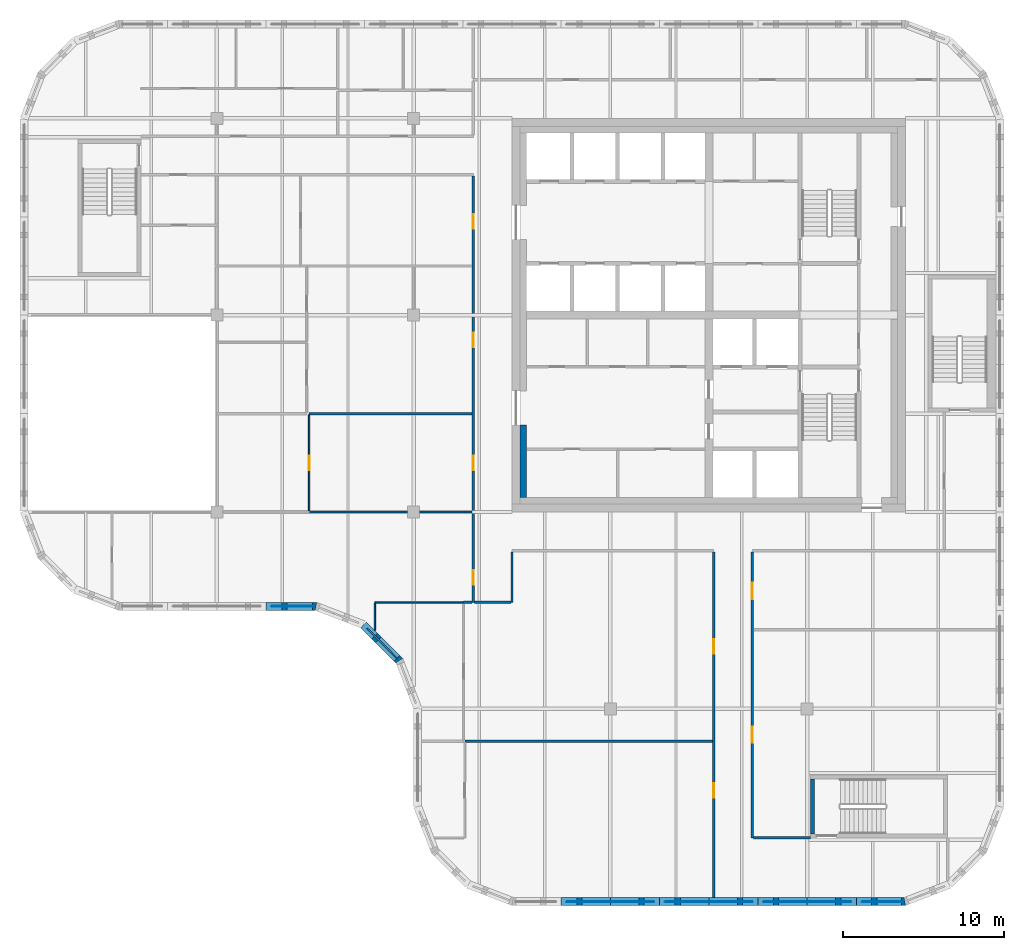
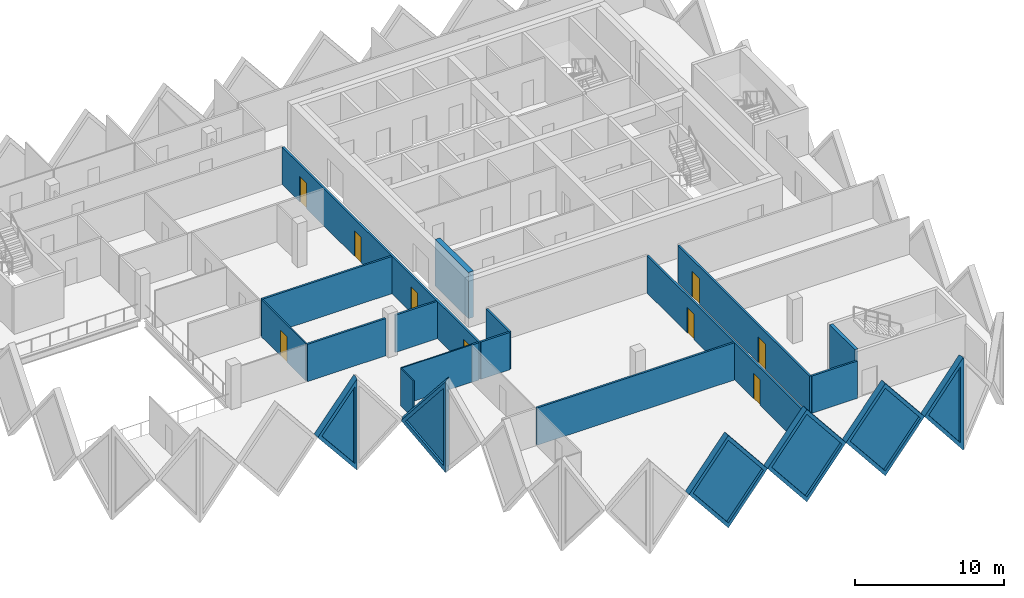
# One storey, part 4 of 12: 22 walls, 9 doors, 6 plates, 15 openings.
"""IFC4 building model written with IfcOpenShell, lengths in metres."""

from ifc_helpers import new_model, si_unit, direction, frame, frame_2d, origin, place, context, subcontext, project, spatial, polyline, rectangle, outline, extrude, faceted_brep, source, transform, mapped, material, layer, layer_set, type_object, element, fill, save


model = new_model("IFC4")

# Units and contexts
model_context = context("Model", 3, precision=1e-05, world=origin(), true_north=direction((0.0, 1.0)))
body_context = subcontext(model_context, "Body", "Model", "MODEL_VIEW")
ifc_project = project(units=[si_unit("LENGTHUNIT", "METRE"), si_unit("AREAUNIT", "SQUARE_METRE"), si_unit("VOLUMEUNIT", "CUBIC_METRE"), si_unit("PLANEANGLEUNIT", "RADIAN"), si_unit("MASSUNIT", "GRAM", prefix="KILO")], contexts=[model_context])

# Site, building, storey
site_placement = place(None, origin())
site = spatial("IfcSite", under=ifc_project, at=site_placement, CompositionType="ELEMENT")
building_placement = place(site_placement, origin())
building = spatial("IfcBuilding", under=site, at=building_placement, Name="Tessera Gate Towers", CompositionType="ELEMENT")
storey_placement = place(building_placement, frame((0.0, 0.0, 220.699951171875)))
storey = spatial("IfcBuildingStorey", under=building, at=storey_placement, Name="L55", CompositionType="ELEMENT", Elevation=220.699951171875)

# Walls
ifc_material_1 = material(Name="Concrete C40/50", Category="concrete")
ifc_layer_1 = layer(ifc_material_1, 0.25)
ifc_layer_set_1 = layer_set([ifc_layer_1], Name="CORE ENCLOSURE WALL 250")
wall_type_1 = type_object("IfcWallType", Name="CORE ENCLOSURE WALL 250", PredefinedType="SOLIDWALL", material=ifc_layer_set_1)
wall_1_placement = place(storey_placement, frame((49.125, 4.449951171875, 0.0), z_axis=(0.0, 0.0, 1.0), x_axis=(0.0, 1.0, 0.0)))
element("IfcWall", 1, at=wall_1_placement, inside=storey, type_object=wall_type_1, Name="L55 ST4 enclosure wall", PredefinedType="SOLIDWALL", context=body_context, shape_type="SweptSolid", body=[
    extrude(rectangle(XDim=3.400146484375, YDim=0.25, at=frame_2d((1.7001953125, 0.0))), origin(), (0.0, 0.0, 1.0), 3.800048828125),
])
ifc_material_2 = material(Name="Concrete C50/60", Category="concrete")
ifc_layer_2 = layer(ifc_material_2, 0.39990234375)
ifc_layer_set_2 = layer_set([ifc_layer_2], Name="CORE WALL THICKENING 400")
wall_type_2 = type_object("IfcWallType", Name="CORE WALL THICKENING 400", PredefinedType="SOLIDWALL", material=ifc_layer_set_2)
wall_2_placement = place(storey_placement, frame((31.199951171875, 25.300048828125, 0.0), z_axis=(0.0, 0.0, 1.0), x_axis=(0.0, 1.0, 0.0)))
element("IfcWall", 2, at=wall_2_placement, inside=storey, type_object=wall_type_2, Name="Core wall thickening W L55", PredefinedType="SOLIDWALL", context=body_context, shape_type="SweptSolid", body=[
    extrude(rectangle(XDim=4.5, YDim=0.39990234375, at=frame_2d((2.25, 0.0))), origin(), (0.0, 0.0, 1.0), 3.800048828125),
])

# Wall, openings, doors
ifc_material_3 = material(Name="Gypsum board on steel studs, mineral wool", Category="steel")
ifc_layer_3 = layer(ifc_material_3, 0.14990234375)
ifc_layer_set_3 = layer_set([ifc_layer_3], Name="CORRIDOR WALL 150")
wall_type_3 = type_object("IfcWallType", Name="CORRIDOR WALL 150", PredefinedType="PARTITIONING", material=ifc_layer_set_3)
wall_3_placement = place(storey_placement, frame((43.0, 0.5, 0.0), z_axis=(0.0, 0.0, 1.0), x_axis=(0.0, 1.0, 0.0)))
wall_3 = element("IfcWall", 3, at=wall_3_placement, inside=storey, type_object=wall_type_3, Name="T1-L55-PW-001", PredefinedType="PARTITIONING", context=body_context, shape_type="SweptSolid", body=[
    extrude(rectangle(XDim=21.424072265625, YDim=0.14990234375, at=frame_2d((10.7119140625, 0.0))), origin(), (0.0, 0.0, 1.0), 3.067138671875),
])
shared_shape_1 = source(origin(), body_context, "Body", "SweptSolid", [
    extrude(rectangle(XDim=0.89990234375, YDim=2.10009765625, at=frame_2d((0.449951171875, 1.050048828125))), frame((0.0, 0.0849609375, 0.0), z_axis=(0.0, -1.0, 0.0), x_axis=(1.0, 0.0, 0.0)), (0.0, 0.0, 1.0), 0.169921875),
])
opening_1_placement = place(wall_3_placement, frame((6.199951171875, 0.0, 0.0)))
opening_1 = element("IfcOpeningElement", 4, at=opening_1_placement, cuts=wall_3, Name="Opening D890FD60-A20-03", PredefinedType="OPENING", context=body_context, shape_type="MappedRepresentation", body=[
    mapped(shared_shape_1, transform((0.0, 0.0, 0.0), scale=1.0)),
])
opening_2_placement = place(wall_3_placement, frame((15.10009765625, 0.0, 0.0)))
opening_2 = element("IfcOpeningElement", 5, at=opening_2_placement, cuts=wall_3, Name="Opening D890FD60-A20-08", PredefinedType="OPENING", context=body_context, shape_type="MappedRepresentation", body=[
    mapped(shared_shape_1, transform((0.0, 0.0, 0.0), scale=1.0)),
])
ifc_material_4 = material(Name="Timber door leaf in steel frame", Category="steel")
door_type_1 = type_object("IfcDoorType", Name="CORRIDOR DOOR 900 FD60", OperationType="NOTDEFINED", PredefinedType="DOOR", material=ifc_material_4)
shared_shape_2 = source(origin(), body_context, "Body", "SweptSolid", [
    extrude(rectangle(XDim=0.89990234375, YDim=2.10009765625, at=frame_2d((0.449951171875, 1.050048828125))), frame((0.0, 0.02490234375, 0.0), z_axis=(0.0, -1.0, 0.0), x_axis=(1.0, 0.0, 0.0)), (0.0, 0.0, 1.0), 0.050048828125),
])
door_1_placement = place(opening_1_placement, origin())
door_1 = element("IfcDoor", 6, at=door_1_placement, inside=storey, type_object=door_type_1, Name="T1-L55-PD-014", OperationType="SINGLE_SWING_LEFT", OverallHeight=2.10009765625, OverallWidth=0.89990234375, PredefinedType="DOOR", context=body_context, shape_type="MappedRepresentation", body=[
    mapped(shared_shape_2, transform((0.0, 0.0, 0.0), scale=1.0)),
])
fill(opening_1, door_1)
door_2_placement = place(opening_2_placement, origin())
door_2 = element("IfcDoor", 7, at=door_2_placement, inside=storey, type_object=door_type_1, Name="T1-L55-PD-023", OperationType="SINGLE_SWING_LEFT", OverallHeight=2.10009765625, OverallWidth=0.89990234375, PredefinedType="DOOR", context=body_context, shape_type="MappedRepresentation", body=[
    mapped(shared_shape_2, transform((0.0, 0.0, 0.0), scale=1.0)),
])
fill(opening_2, door_2)

wall_4_placement = place(storey_placement, frame((45.39990234375, 21.924072265625, 0.0), z_axis=(0.0, 0.0, 1.0), x_axis=(0.0, -1.0, 0.0)))
wall_4 = element("IfcWall", 8, at=wall_4_placement, inside=storey, type_object=wall_type_3, Name="T1-L55-PW-005", PredefinedType="PARTITIONING", context=body_context, shape_type="SweptSolid", body=[
    extrude(rectangle(XDim=17.72412109375, YDim=0.14990234375, at=frame_2d((8.862060546875, 0.0))), origin(), (0.0, 0.0, 1.0), 3.067138671875),
])
shared_shape_3 = source(origin(), body_context, "Body", "SweptSolid", [
    extrude(rectangle(XDim=1.0, YDim=2.10009765625, at=frame_2d((0.5, 1.050048828125))), frame((0.0, 0.0849609375, 0.0), z_axis=(0.0, -1.0, 0.0), x_axis=(1.0, 0.0, 0.0)), (0.0, 0.0, 1.0), 0.169921875),
])
opening_3_placement = place(wall_4_placement, frame((1.923095703125, 0.0, 0.0)))
opening_3 = element("IfcOpeningElement", 9, at=opening_3_placement, cuts=wall_4, Name="Opening D2100FD60-A20-02", PredefinedType="OPENING", context=body_context, shape_type="MappedRepresentation", body=[
    mapped(shared_shape_3, transform((0.0, 0.0, 0.0), scale=1.0)),
])
opening_4_placement = place(wall_4_placement, frame((10.823974609375, 0.0, 0.0)))
opening_4 = element("IfcOpeningElement", 10, at=opening_4_placement, cuts=wall_4, Name="Opening D2100FD60-A20-04", PredefinedType="OPENING", context=body_context, shape_type="MappedRepresentation", body=[
    mapped(shared_shape_3, transform((0.0, 0.0, 0.0), scale=1.0)),
])
ifc_material_5 = material(Name="Timber door leaf in steel frame", Category="steel")
door_type_2 = type_object("IfcDoorType", Name="TENANCY ENTRANCE DOOR 1000 FD60", OperationType="NOTDEFINED", PredefinedType="DOOR", material=ifc_material_5)
shared_shape_4 = source(origin(), body_context, "Body", "SweptSolid", [
    extrude(rectangle(XDim=1.0, YDim=2.10009765625, at=frame_2d((0.5, 1.050048828125))), frame((0.0, 0.02490234375, 0.0), z_axis=(0.0, -1.0, 0.0), x_axis=(1.0, 0.0, 0.0)), (0.0, 0.0, 1.0), 0.050048828125),
])
door_3_placement = place(opening_3_placement, origin())
door_3 = element("IfcDoor", 11, at=door_3_placement, inside=storey, type_object=door_type_2, Name="T1-L55-PD-008", OperationType="SINGLE_SWING_RIGHT", OverallHeight=2.10009765625, OverallWidth=1.0, PredefinedType="DOOR", context=body_context, shape_type="MappedRepresentation", body=[
    mapped(shared_shape_4, transform((0.0, 0.0, 0.0), scale=1.0)),
])
fill(opening_3, door_3)
door_4_placement = place(opening_4_placement, origin())
door_4 = element("IfcDoor", 12, at=door_4_placement, inside=storey, type_object=door_type_2, Name="T1-L55-PD-027", OperationType="SINGLE_SWING_RIGHT", OverallHeight=2.10009765625, OverallWidth=1.0, PredefinedType="DOOR", context=body_context, shape_type="MappedRepresentation", body=[
    mapped(shared_shape_4, transform((0.0, 0.0, 0.0), scale=1.0)),
])
fill(opening_4, door_4)

# Wall
wall_5_placement = place(storey_placement, frame((45.47607421875, 4.199951171875, 0.0), z_axis=(0.0, 0.0, 1.0), x_axis=(1.0, 0.0, 0.0)))
element("IfcWall", 13, at=wall_5_placement, inside=storey, type_object=wall_type_3, Name="T1-L55-PW-006", PredefinedType="PARTITIONING", context=body_context, shape_type="SweptSolid", body=[
    extrude(rectangle(XDim=3.52392578125, YDim=0.14990234375, at=frame_2d((1.761962890625, 0.0))), origin(), (0.0, 0.0, 1.0), 3.067138671875),
])

# Wall, openings, doors
wall_6_placement = place(storey_placement, frame((28.10009765625, 18.800048828125, 0.0), z_axis=(0.0, 0.0, 1.0), x_axis=(0.0, 1.0, 0.0)))
wall_6 = element("IfcWall", 14, at=wall_6_placement, inside=storey, type_object=wall_type_3, Name="T1-L55-PW-014", PredefinedType="PARTITIONING", context=body_context, shape_type="SweptSolid", body=[
    extrude(rectangle(XDim=26.424072265625, YDim=0.14990234375, at=frame_2d((13.2119140625, 0.0))), origin(), (0.0, 0.0, 1.0), 3.067138671875),
])
opening_5_placement = place(wall_6_placement, frame((1.10009765625, 0.0, 0.0)))
opening_5 = element("IfcOpeningElement", 15, at=opening_5_placement, cuts=wall_6, Name="Opening D890FD60-A20-01", PredefinedType="OPENING", context=body_context, shape_type="MappedRepresentation", body=[
    mapped(shared_shape_1, transform((0.0, 0.0, 0.0), scale=1.0)),
])
opening_6_placement = place(wall_6_placement, frame((23.15087890625, 0.0, 0.0)))
opening_6 = element("IfcOpeningElement", 16, at=opening_6_placement, cuts=wall_6, Name="Opening D890FD60-A20-02", PredefinedType="OPENING", context=body_context, shape_type="MappedRepresentation", body=[
    mapped(shared_shape_1, transform((0.0, 0.0, 0.0), scale=1.0)),
])
opening_7_placement = place(wall_6_placement, frame((8.199951171875, 0.0, 0.0)))
opening_7 = element("IfcOpeningElement", 17, at=opening_7_placement, cuts=wall_6, Name="Opening D890FD60-A20-04", PredefinedType="OPENING", context=body_context, shape_type="MappedRepresentation", body=[
    mapped(shared_shape_1, transform((0.0, 0.0, 0.0), scale=1.0)),
])
opening_8_placement = place(wall_6_placement, frame((15.800048828125, 0.0, 0.0)))
opening_8 = element("IfcOpeningElement", 18, at=opening_8_placement, cuts=wall_6, Name="Opening D890FD60-A20-07", PredefinedType="OPENING", context=body_context, shape_type="MappedRepresentation", body=[
    mapped(shared_shape_1, transform((0.0, 0.0, 0.0), scale=1.0)),
])
door_5_placement = place(opening_5_placement, origin())
door_5 = element("IfcDoor", 19, at=door_5_placement, inside=storey, type_object=door_type_1, Name="T1-L55-PD-001", OperationType="SINGLE_SWING_LEFT", OverallHeight=2.10009765625, OverallWidth=0.89990234375, PredefinedType="DOOR", context=body_context, shape_type="MappedRepresentation", body=[
    mapped(shared_shape_2, transform((0.0, 0.0, 0.0), scale=1.0)),
])
fill(opening_5, door_5)
door_6_placement = place(opening_6_placement, origin())
door_6 = element("IfcDoor", 20, at=door_6_placement, inside=storey, type_object=door_type_1, Name="T1-L55-PD-011", OperationType="SINGLE_SWING_LEFT", OverallHeight=2.10009765625, OverallWidth=0.89990234375, PredefinedType="DOOR", context=body_context, shape_type="MappedRepresentation", body=[
    mapped(shared_shape_2, transform((0.0, 0.0, 0.0), scale=1.0)),
])
fill(opening_6, door_6)
door_7_placement = place(opening_7_placement, origin())
door_7 = element("IfcDoor", 21, at=door_7_placement, inside=storey, type_object=door_type_1, Name="T1-L55-PD-015", OperationType="SINGLE_SWING_LEFT", OverallHeight=2.10009765625, OverallWidth=0.89990234375, PredefinedType="DOOR", context=body_context, shape_type="MappedRepresentation", body=[
    mapped(shared_shape_2, transform((0.0, 0.0, 0.0), scale=1.0)),
])
fill(opening_7, door_7)
door_8_placement = place(opening_8_placement, origin())
door_8 = element("IfcDoor", 22, at=door_8_placement, inside=storey, type_object=door_type_1, Name="T1-L55-PD-022", OperationType="SINGLE_SWING_LEFT", OverallHeight=2.10009765625, OverallWidth=0.89990234375, PredefinedType="DOOR", context=body_context, shape_type="MappedRepresentation", body=[
    mapped(shared_shape_2, transform((0.0, 0.0, 0.0), scale=1.0)),
])
fill(opening_8, door_8)

# Walls
wall_7_placement = place(storey_placement, frame((28.176025390625, 18.800048828125, 0.0), z_axis=(0.0, 0.0, 1.0), x_axis=(1.0, 0.0, 0.0)))
element("IfcWall", 23, at=wall_7_placement, inside=storey, type_object=wall_type_3, Name="T1-L55-PW-015", PredefinedType="PARTITIONING", context=body_context, shape_type="SweptSolid", body=[
    extrude(rectangle(XDim=2.248046875, YDim=0.14990234375, at=frame_2d((1.1240234375, 0.0))), origin(), (0.0, 0.0, 1.0), 3.067138671875),
])
wall_8_placement = place(storey_placement, frame((30.5, 18.800048828125, 0.0), z_axis=(0.0, 0.0, 1.0), x_axis=(0.0, 1.0, 0.0)))
element("IfcWall", 24, at=wall_8_placement, inside=storey, type_object=wall_type_3, Name="T1-L55-PW-016", PredefinedType="PARTITIONING", context=body_context, shape_type="SweptSolid", body=[
    extrude(rectangle(XDim=3.1240234375, YDim=0.14990234375, at=frame_2d((1.56201171875, 0.0))), origin(), (0.0, 0.0, 1.0), 3.067138671875),
])
ifc_material_6 = material(Name="Glass", Category="glass")
ifc_layer_4 = layer(ifc_material_6, 0.10009765625)
ifc_layer_set_4 = layer_set([ifc_layer_4], Name="GLAZED PARTITION 100")
wall_type_4 = type_object("IfcWallType", Name="GLAZED PARTITION 100", PredefinedType="PARTITIONING", material=ifc_layer_set_4)
wall_9_placement = place(storey_placement, frame((22.0, 17.054931640625, 0.0), z_axis=(0.0, 0.0, 1.0), x_axis=(0.0, 1.0, 0.0)))
element("IfcWall", 25, at=wall_9_placement, inside=storey, type_object=wall_type_4, Name="T1-L55-PW-010", PredefinedType="PARTITIONING", context=body_context, shape_type="SweptSolid", body=[
    extrude(rectangle(XDim=1.694091796875, YDim=0.10009765625, at=frame_2d((0.84716796875, 0.0))), origin(), (0.0, 0.0, 1.0), 3.067138671875),
])
wall_10_placement = place(storey_placement, frame((22.0, 18.800048828125, 0.0), z_axis=(0.0, 0.0, 1.0), x_axis=(1.0, 0.0, 0.0)))
element("IfcWall", 26, at=wall_10_placement, inside=storey, type_object=wall_type_4, Name="T1-L55-PW-012", PredefinedType="PARTITIONING", context=body_context, shape_type="SweptSolid", body=[
    extrude(rectangle(XDim=5.4990234375, YDim=0.10009765625, at=frame_2d((2.74951171875, 0.0))), origin(), (0.0, 0.0, 1.0), 3.067138671875),
])

# Wall, opening, door
wall_11_placement = place(storey_placement, frame((17.925048828125, 24.47607421875, 0.0), z_axis=(0.0, 0.0, 1.0), x_axis=(0.0, 1.0, 0.0)))
wall_11 = element("IfcWall", 27, at=wall_11_placement, inside=storey, type_object=wall_type_4, Name="T1-L55-PW-025", PredefinedType="PARTITIONING", context=body_context, shape_type="SweptSolid", body=[
    extrude(rectangle(XDim=5.947998046875, YDim=0.10009765625, at=frame_2d((2.97412109375, 0.0))), origin(), (0.0, 0.0, 1.0), 3.067138671875),
])
shared_shape_5 = source(origin(), body_context, "Body", "SweptSolid", [
    extrude(rectangle(XDim=0.89990234375, YDim=2.10009765625, at=frame_2d((0.449951171875, 1.050048828125))), frame((0.0, 0.06005859375, 0.0), z_axis=(0.0, -1.0, 0.0), x_axis=(1.0, 0.0, 0.0)), (0.0, 0.0, 1.0), 0.1201171875),
])
opening_9_placement = place(wall_11_placement, frame((2.5, 0.0, 0.0)))
opening_9 = element("IfcOpeningElement", 28, at=opening_9_placement, cuts=wall_11, Name="Opening D690-A20-06", PredefinedType="OPENING", context=body_context, shape_type="MappedRepresentation", body=[
    mapped(shared_shape_5, transform((0.0, 0.0, 0.0), scale=1.0)),
])
ifc_material_7 = material(Name="Glass in aluminium frame", Category="aluminium")
door_type_3 = type_object("IfcDoorType", Name="GLAZED DOOR 900 NOT RATED", OperationType="NOTDEFINED", PredefinedType="DOOR", material=ifc_material_7)
door_9_placement = place(opening_9_placement, origin())
door_9 = element("IfcDoor", 29, at=door_9_placement, inside=storey, type_object=door_type_3, Name="T1-L55-PD-013", OperationType="SINGLE_SWING_LEFT", OverallHeight=2.10009765625, OverallWidth=0.89990234375, PredefinedType="DOOR", context=body_context, shape_type="MappedRepresentation", body=[
    mapped(shared_shape_2, transform((0.0, 0.0, 0.0), scale=1.0)),
])
fill(opening_9, door_9)

# Walls
ifc_material_8 = material(Name="Gypsum board on steel studs, mineral wool", Category="steel")
ifc_layer_5 = layer(ifc_material_8, 0.14990234375)
ifc_layer_set_5 = layer_set([ifc_layer_5], Name="TENANCY WALL 150")
wall_type_5 = type_object("IfcWallType", Name="TENANCY WALL 150", PredefinedType="PARTITIONING", material=ifc_layer_set_5)
wall_12_placement = place(storey_placement, frame((27.574951171875, 10.199951171875, 0.0), z_axis=(0.0, 0.0, 1.0), x_axis=(1.0, 0.0, 0.0)))
element("IfcWall", 30, at=wall_12_placement, inside=storey, type_object=wall_type_5, Name="T1-L55-PW-008", PredefinedType="PARTITIONING", context=body_context, shape_type="SweptSolid", body=[
    extrude(rectangle(XDim=15.34912109375, YDim=0.14990234375, at=frame_2d((7.674560546875, 0.0))), origin(), (0.0, 0.0, 1.0), 3.067138671875),
])
wall_13_placement = place(storey_placement, frame((27.5, 18.800048828125, 0.0), z_axis=(0.0, 0.0, 1.0), x_axis=(1.0, 0.0, 0.0)))
element("IfcWall", 31, at=wall_13_placement, inside=storey, type_object=wall_type_5, Name="T1-L55-PW-013", PredefinedType="PARTITIONING", context=body_context, shape_type="SweptSolid", body=[
    extrude(rectangle(XDim=0.52392578125, YDim=0.14990234375, at=frame_2d((0.261962890625, 0.0))), origin(), (0.0, 0.0, 1.0), 3.067138671875),
])
wall_14_placement = place(storey_placement, frame((17.925048828125, 24.39990234375, 0.0), z_axis=(0.0, 0.0, 1.0), x_axis=(1.0, 0.0, 0.0)))
element("IfcWall", 32, at=wall_14_placement, inside=storey, type_object=wall_type_5, Name="T1-L55-PW-023", PredefinedType="PARTITIONING", context=body_context, shape_type="SweptSolid", body=[
    extrude(rectangle(XDim=6.098876953125, YDim=0.14990234375, at=frame_2d((3.04931640625, 0.0))), origin(), (0.0, 0.0, 1.0), 3.067138671875),
])
wall_15_placement = place(storey_placement, frame((24.77587890625, 24.39990234375, 0.0), z_axis=(0.0, 0.0, 1.0), x_axis=(1.0, 0.0, 0.0)))
element("IfcWall", 33, at=wall_15_placement, inside=storey, type_object=wall_type_5, Name="T1-L55-PW-024", PredefinedType="PARTITIONING", context=body_context, shape_type="SweptSolid", body=[
    extrude(rectangle(XDim=3.248046875, YDim=0.14990234375, at=frame_2d((1.6240234375, 0.0))), origin(), (0.0, 0.0, 1.0), 3.067138671875),
])
wall_16_placement = place(storey_placement, frame((17.925048828125, 30.5, 0.0), z_axis=(0.0, 0.0, 1.0), x_axis=(1.0, 0.0, 0.0)))
element("IfcWall", 34, at=wall_16_placement, inside=storey, type_object=wall_type_5, Name="T1-L55-PW-027", PredefinedType="PARTITIONING", context=body_context, shape_type="SweptSolid", body=[
    extrude(rectangle(XDim=10.098876953125, YDim=0.14990234375, at=frame_2d((5.04931640625, 0.0))), origin(), (0.0, 0.0, 1.0), 3.067138671875),
])

# Wall, opening, plate
ifc_material_9 = material(Name="Precast concrete C60/75 white", Category="concrete")
ifc_layer_6 = layer(ifc_material_9, 0.5)
ifc_layer_set_6 = layer_set([ifc_layer_6], Name="TS1 tessera")
wall_type_6 = type_object("IfcWallType", Name="TS1 tessera", PredefinedType="SOLIDWALL", material=ifc_layer_set_6)
shared_shape_6 = source(origin(), body_context, "Body", "Brep", [
    faceted_brep([(3.050048828125, -0.25, 0.0), (6.099853515625, -0.25, 3.7998046875), (6.099853515625, -0.25, 3.80029296875), (3.050048828125, -0.25, 7.60009765625), (0.0, -0.25, 3.800048828125), (0.0, 0.25, 3.800048828125), (3.050048828125, 0.25, 7.60009765625), (6.099853515625, 0.25, 3.80029296875), (6.099853515625, 0.25, 3.7998046875), (3.050048828125, 0.25, 0.0)], [[[0, 1, 2, 3, 4]], [[5, 6, 7, 8, 9]], [[9, 8, 1, 0]], [[7, 6, 3, 2]], [[6, 5, 4, 3]], [[5, 9, 0, 4]], [[1, 8, 7, 2]]]),
])
wall_17_placement = place(storey_placement, frame((33.550048828125, 0.25, -3.800048828125), z_axis=(0.0, 0.0, 1.0), x_axis=(1.0, 0.0, 0.0)))
wall_17 = element("IfcWall", 35, at=wall_17_placement, inside=storey, type_object=wall_type_6, Name="Precast tessera T1 TS1-0966", PredefinedType="SOLIDWALL", context=body_context, shape_type="MappedRepresentation", body=[
    mapped(shared_shape_6, transform((0.0, 0.0, 0.0), scale=1.0)),
])
shared_shape_7 = source(origin(), body_context, "Body", "SweptSolid", [
    extrude(outline(polyline([(3.050048828125, 0.3994140625), (5.779541015625, 3.800048828125), (3.050048828125, 7.20068359375), (0.320556640625, 3.800048828125), (3.050048828125, 0.3994140625)])), frame((0.0, 0.260009765625, 0.0), z_axis=(0.0, -1.0, 0.0), x_axis=(1.0, 0.0, 0.0)), (0.0, 0.0, 1.0), 0.52001953125),
])
opening_10_placement = place(wall_17_placement, origin())
opening_10 = element("IfcOpeningElement", 36, at=opening_10_placement, cuts=wall_17, Name="Opening T1-PL2-1976", PredefinedType="OPENING", context=body_context, shape_type="MappedRepresentation", body=[
    mapped(shared_shape_7, transform((0.0, 0.0, 0.0), scale=1.0)),
])
ifc_material_10 = material(Name="Low-e laminated glass", Category="glass")
ifc_layer_7 = layer(ifc_material_10, 0.06005859375)
ifc_layer_set_7 = layer_set([ifc_layer_7], Name="PL2 rhombic pane")
plate_type = type_object("IfcPlateType", Name="PL2 rhombic pane", PredefinedType="SHEET", material=ifc_layer_set_7)
shared_shape_8 = source(origin(), body_context, "Body", "SweptSolid", [
    extrude(outline(polyline([(3.050048828125, 0.3994140625), (5.779541015625, 3.800048828125), (3.050048828125, 7.20068359375), (0.320556640625, 3.800048828125), (3.050048828125, 0.3994140625)])), frame((0.0, 0.030029296875, 0.0), z_axis=(0.0, -1.0, 0.0), x_axis=(1.0, 0.0, 0.0)), (0.0, 0.0, 1.0), 0.06005859375),
])
plate_1_placement = place(opening_10_placement, origin())
plate_1 = element("IfcPlate", 37, at=plate_1_placement, inside=storey, type_object=plate_type, Name="Glass pane T1 PL2-1976", PredefinedType="SHEET", context=body_context, shape_type="MappedRepresentation", body=[
    mapped(shared_shape_8, transform((0.0, 0.0, 0.0), scale=1.0)),
])
fill(opening_10, plate_1)

shared_shape_9 = source(origin(), body_context, "Body", "SweptSolid", [
    extrude(outline(polyline([(3.050048828125, 0.0), (6.10009765625, 3.800048828125), (3.050048828125, 7.60009765625), (0.0, 3.800048828125), (3.050048828125, 0.0)])), frame((0.0, 0.25, 0.0), z_axis=(0.0, -1.0, 0.0), x_axis=(1.0, 0.0, 0.0)), (0.0, 0.0, 1.0), 0.5),
])
wall_18_placement = place(storey_placement, frame((39.64990234375, 0.25, -3.800048828125), z_axis=(0.0, 0.0, 1.0), x_axis=(1.0, 0.0, 0.0)))
wall_18 = element("IfcWall", 38, at=wall_18_placement, inside=storey, type_object=wall_type_6, Name="Precast tessera T1 TS1-0967", PredefinedType="SOLIDWALL", context=body_context, shape_type="MappedRepresentation", body=[
    mapped(shared_shape_9, transform((0.0, 0.0, 0.0), scale=1.0)),
])
opening_11_placement = place(wall_18_placement, origin())
opening_11 = element("IfcOpeningElement", 39, at=opening_11_placement, cuts=wall_18, Name="Opening T1-PL2-1977", PredefinedType="OPENING", context=body_context, shape_type="MappedRepresentation", body=[
    mapped(shared_shape_7, transform((0.0, 0.0, 0.0), scale=1.0)),
])
plate_2_placement = place(opening_11_placement, origin())
plate_2 = element("IfcPlate", 40, at=plate_2_placement, inside=storey, type_object=plate_type, Name="Glass pane T1 PL2-1977", PredefinedType="SHEET", context=body_context, shape_type="MappedRepresentation", body=[
    mapped(shared_shape_8, transform((0.0, 0.0, 0.0), scale=1.0)),
])
fill(opening_11, plate_2)

wall_19_placement = place(storey_placement, frame((45.75, 0.25, -3.800048828125), z_axis=(0.0, 0.0, 1.0), x_axis=(1.0, 0.0, 0.0)))
wall_19 = element("IfcWall", 41, at=wall_19_placement, inside=storey, type_object=wall_type_6, Name="Precast tessera T1 TS1-0968", PredefinedType="SOLIDWALL", context=body_context, shape_type="MappedRepresentation", body=[
    mapped(shared_shape_9, transform((0.0, 0.0, 0.0), scale=1.0)),
])
opening_12_placement = place(wall_19_placement, origin())
opening_12 = element("IfcOpeningElement", 42, at=opening_12_placement, cuts=wall_19, Name="Opening T1-PL2-1978", PredefinedType="OPENING", context=body_context, shape_type="MappedRepresentation", body=[
    mapped(shared_shape_7, transform((0.0, 0.0, 0.0), scale=1.0)),
])
plate_3_placement = place(opening_12_placement, origin())
plate_3 = element("IfcPlate", 43, at=plate_3_placement, inside=storey, type_object=plate_type, Name="Glass pane T1 PL2-1978", PredefinedType="SHEET", context=body_context, shape_type="MappedRepresentation", body=[
    mapped(shared_shape_8, transform((0.0, 0.0, 0.0), scale=1.0)),
])
fill(opening_12, plate_3)

ifc_material_11 = material(Name="Precast concrete C60/75 white", Category="concrete")
ifc_layer_8 = layer(ifc_material_11, 0.5)
ifc_layer_set_8 = layer_set([ifc_layer_8], Name="TS3 corner tessera")
wall_type_7 = type_object("IfcWallType", Name="TS3 corner tessera", PredefinedType="SOLIDWALL", material=ifc_layer_set_8)
shared_shape_10 = source(origin(), body_context, "Body", "Brep", [
    faceted_brep([(3.00341796875, -0.25, 0.0), (3.050048828125, -0.25, 0.06005859375), (3.050048828125, -0.25, 7.5400390625), (3.00341796875, -0.25, 7.60009765625), (0.0, -0.25, 3.800048828125), (0.0, 0.25, 3.800048828125), (2.956787109375, 0.25, 7.541259765625), (2.956787109375, 0.25, 0.058837890625), (3.00341796875, 0.000244140625, 0.0), (3.00341796875, 0.000244140625, 7.60009765625)], [[[0, 1, 2, 3, 4]], [[5, 6, 7]], [[1, 0, 8]], [[9, 3, 2]], [[6, 5, 4, 3, 9]], [[5, 7, 8, 0, 4]], [[1, 8, 7, 6, 9, 2]]]),
])
wall_20_placement = place(storey_placement, frame((51.85009765625, 0.25, -3.800048828125), z_axis=(0.0, 0.0, 1.0), x_axis=(1.0, 0.0, 0.0)))
wall_20 = element("IfcWall", 44, at=wall_20_placement, inside=storey, type_object=wall_type_7, Name="Precast corner tessera T1 TS3-1275", PredefinedType="SOLIDWALL", context=body_context, shape_type="MappedRepresentation", body=[
    mapped(shared_shape_10, transform((0.0, 0.0, 0.0), scale=1.0)),
])
shared_shape_11 = source(origin(), body_context, "Body", "SweptSolid", [
    extrude(outline(polyline([(2.803466796875, 6.94384765625), (0.318603515625, 3.800048828125), (2.803466796875, 0.65625), (2.803466796875, 6.94384765625)])), frame((0.0, 0.260009765625, 0.0), z_axis=(0.0, -1.0, 0.0), x_axis=(1.0, 0.0, 0.0)), (0.0, 0.0, 1.0), 0.52001953125),
])
opening_13_placement = place(wall_20_placement, origin())
opening_13 = element("IfcOpeningElement", 45, at=opening_13_placement, cuts=wall_20, Name="Opening T1-PL2-1979", PredefinedType="OPENING", context=body_context, shape_type="MappedRepresentation", body=[
    mapped(shared_shape_11, transform((0.0, 0.0, 0.0), scale=1.0)),
])
shared_shape_12 = source(origin(), body_context, "Body", "SweptSolid", [
    extrude(outline(polyline([(2.803466796875, 6.94384765625), (0.318603515625, 3.800048828125), (2.803466796875, 0.65625), (2.803466796875, 6.94384765625)])), frame((0.0, 0.030029296875, 0.0), z_axis=(0.0, -1.0, 0.0), x_axis=(1.0, 0.0, 0.0)), (0.0, 0.0, 1.0), 0.06005859375),
])
plate_4_placement = place(opening_13_placement, origin())
plate_4 = element("IfcPlate", 46, at=plate_4_placement, inside=storey, type_object=plate_type, Name="Glass pane T1 PL2-1979", PredefinedType="SHEET", context=body_context, shape_type="MappedRepresentation", body=[
    mapped(shared_shape_12, transform((0.0, 0.0, 0.0), scale=1.0)),
])
fill(opening_13, plate_4)

shared_shape_13 = source(origin(), body_context, "Body", "Brep", [
    faceted_brep([(3.050048828125, -0.25, 7.543212890625), (0.0, -0.25, 3.800048828125), (3.050048828125, -0.25, 0.056884765625), (0.0, 0.25, 3.800048828125), (3.096435546875, 0.25, 7.60009765625), (3.14306640625, 0.25, 7.543701171875), (3.14306640625, 0.25, 0.056396484375), (3.096435546875, 0.25, 0.0), (3.096435546875, -0.00048828125, 0.0), (3.096435546875, -0.00048828125, 7.60009765625)], [[[0, 1, 2]], [[3, 4, 5, 6, 7]], [[7, 6, 8]], [[5, 4, 9]], [[4, 3, 1, 0, 9]], [[3, 7, 8, 2, 1]], [[2, 8, 6, 5, 9, 0]]]),
])
wall_21_placement = place(storey_placement, frame((15.25, 18.550048828125, -3.800048828125), z_axis=(0.0, 0.0, 1.0), x_axis=(1.0, 0.0, 0.0)))
wall_21 = element("IfcWall", 47, at=wall_21_placement, inside=storey, type_object=wall_type_7, Name="Precast corner tessera T1 TS3-1291", PredefinedType="SOLIDWALL", context=body_context, shape_type="MappedRepresentation", body=[
    mapped(shared_shape_13, transform((0.0, 0.0, 0.0), scale=1.0)),
])
shared_shape_14 = source(origin(), body_context, "Body", "SweptSolid", [
    extrude(outline(polyline([(2.896484375, 6.958984375), (0.322509765625, 3.800048828125), (2.896484375, 0.641357421875), (2.896484375, 6.958984375)])), frame((0.0, 0.260009765625, 0.0), z_axis=(0.0, -1.0, 0.0), x_axis=(1.0, 0.0, 0.0)), (0.0, 0.0, 1.0), 0.52001953125),
])
opening_14_placement = place(wall_21_placement, origin())
opening_14 = element("IfcOpeningElement", 48, at=opening_14_placement, cuts=wall_21, Name="Opening T1-PL2-2014", PredefinedType="OPENING", context=body_context, shape_type="MappedRepresentation", body=[
    mapped(shared_shape_14, transform((0.0, 0.0, 0.0), scale=1.0)),
])
shared_shape_15 = source(origin(), body_context, "Body", "SweptSolid", [
    extrude(outline(polyline([(2.896484375, 6.958984375), (0.322509765625, 3.800048828125), (2.896484375, 0.641357421875), (2.896484375, 6.958984375)])), frame((0.0, 0.030029296875, 0.0), z_axis=(0.0, -1.0, 0.0), x_axis=(1.0, 0.0, 0.0)), (0.0, 0.0, 1.0), 0.06005859375),
])
plate_5_placement = place(opening_14_placement, origin())
plate_5 = element("IfcPlate", 49, at=plate_5_placement, inside=storey, type_object=plate_type, Name="Glass pane T1 PL2-2014", PredefinedType="SHEET", context=body_context, shape_type="MappedRepresentation", body=[
    mapped(shared_shape_15, transform((0.0, 0.0, 0.0), scale=1.0)),
])
fill(opening_14, plate_5)

shared_shape_16 = source(origin(), body_context, "Body", "Brep", [
    faceted_brep([(3.10302734375, -0.25, 7.536376953125), (0.052978515625, -0.25, 3.86376953125), (0.052978515625, -0.25, 3.736328125), (3.10302734375, -0.25, 0.063720703125), (0.0, 0.25, 3.800048828125), (3.15576171875, 0.25, 7.60009765625), (3.208740234375, 0.25, 7.5361328125), (3.208740234375, 0.25, 0.06396484375), (3.15576171875, 0.25, 0.0), (3.15576171875, -0.00048828125, 0.0), (3.15576171875, -0.00048828125, 7.60009765625), (0.0, 0.0, 3.800048828125)], [[[0, 1, 2, 3]], [[4, 5, 6, 7, 8]], [[8, 7, 9]], [[6, 5, 10]], [[5, 4, 11, 1, 0, 10]], [[4, 8, 9, 3, 2, 11]], [[11, 2, 1]], [[3, 9, 7, 6, 10, 0]]]),
])
wall_22_placement = place(storey_placement, frame((21.284912109375, 17.41650390625, -3.800048828125), z_axis=(0.0, 0.0, 1.0), x_axis=(0.707106781187, -0.707106781187, 0.0)))
wall_22 = element("IfcWall", 50, at=wall_22_placement, inside=storey, type_object=wall_type_7, Name="Precast corner tessera T1 TS3-1293", PredefinedType="SOLIDWALL", context=body_context, shape_type="MappedRepresentation", body=[
    mapped(shared_shape_16, transform((0.0, 0.0, 0.0), scale=1.0)),
])
shared_shape_17 = source(origin(), body_context, "Body", "SweptSolid", [
    extrude(outline(polyline([(2.955810546875, 6.968017578125), (0.324951171875, 3.800048828125), (2.955810546875, 0.63232421875), (2.955810546875, 6.968017578125)])), frame((0.0, 0.260009765625, 0.0), z_axis=(0.0, -1.0, 0.0), x_axis=(1.0, 0.0, 0.0)), (0.0, 0.0, 1.0), 0.52001953125),
])
opening_15_placement = place(wall_22_placement, origin())
opening_15 = element("IfcOpeningElement", 51, at=opening_15_placement, cuts=wall_22, Name="Opening T1-PL2-2016", PredefinedType="OPENING", context=body_context, shape_type="MappedRepresentation", body=[
    mapped(shared_shape_17, transform((0.0, 0.0, 0.0), scale=1.0)),
])
shared_shape_18 = source(origin(), body_context, "Body", "SweptSolid", [
    extrude(outline(polyline([(2.955810546875, 6.968017578125), (0.324951171875, 3.800048828125), (2.955810546875, 0.63232421875), (2.955810546875, 6.968017578125)])), frame((0.0, 0.030029296875, 0.0), z_axis=(0.0, -1.0, 0.0), x_axis=(1.0, 0.0, 0.0)), (0.0, 0.0, 1.0), 0.06005859375),
])
plate_6_placement = place(opening_15_placement, origin())
plate_6 = element("IfcPlate", 52, at=plate_6_placement, inside=storey, type_object=plate_type, Name="Glass pane T1 PL2-2016", PredefinedType="SHEET", context=body_context, shape_type="MappedRepresentation", body=[
    mapped(shared_shape_18, transform((0.0, 0.0, 0.0), scale=1.0)),
])
fill(opening_15, plate_6)

save(model, "model.ifc")
